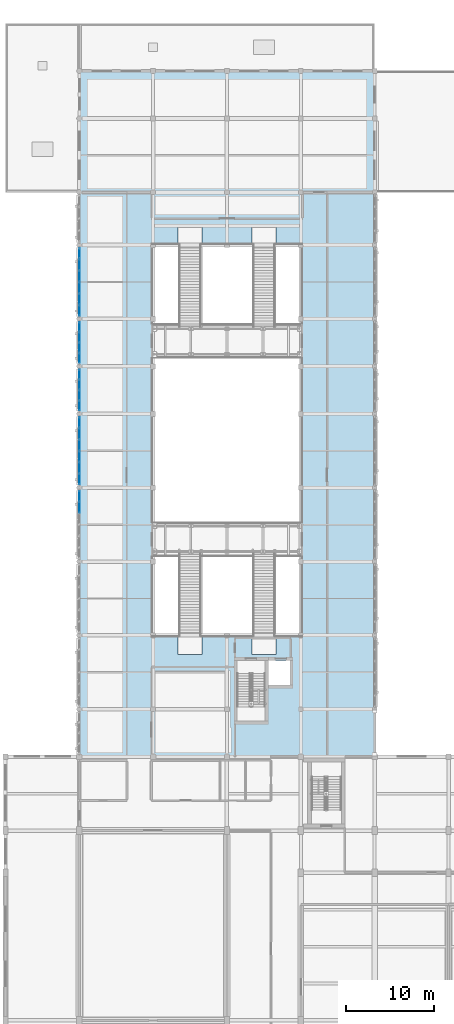
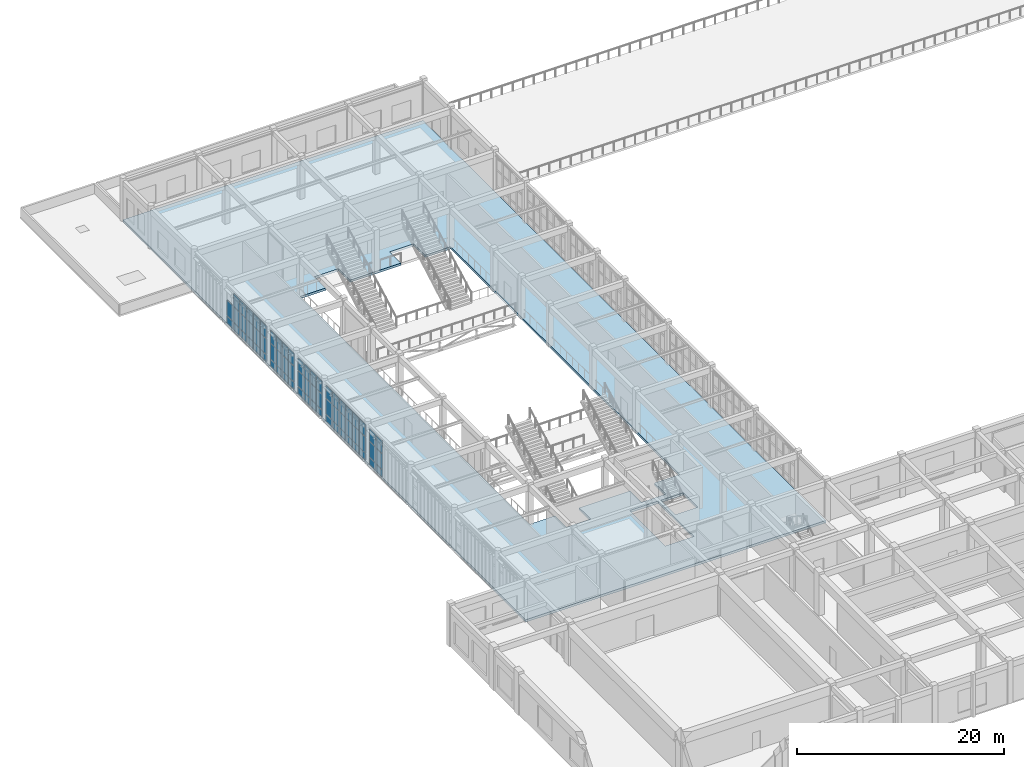
# One storey, part 59 of 93: 65 plates, 1 slab, 5 elements without a shape of their own.
"""IFC4 building model written with IfcOpenShell, lengths in metres."""

from ifc_helpers import new_model, si_unit, direction, frame, origin, origin_2d, place, context, subcontext, project, spatial, polyline, rectangle, outline, extrude, material, layer, layer_set, type_object, element, aggregate, save


model = new_model("IFC4")

# Units and contexts
model_context = context("Model", 3, precision=1e-05, world=origin(), true_north=direction((0.0, 1.0)))
body_context = subcontext(model_context, "Body", "Model", "MODEL_VIEW")
ifc_project = project(units=[si_unit("LENGTHUNIT", "METRE"), si_unit("AREAUNIT", "SQUARE_METRE"), si_unit("VOLUMEUNIT", "CUBIC_METRE"), si_unit("PLANEANGLEUNIT", "RADIAN"), si_unit("MASSUNIT", "GRAM", prefix="KILO")], contexts=[model_context])

# Site, building, storey
site_placement = place(None, origin())
site = spatial("IfcSite", under=ifc_project, at=site_placement, CompositionType="ELEMENT")
building_placement = place(site_placement, origin())
building = spatial("IfcBuilding", under=site, at=building_placement, Name="Krzemoval Escarpment Law Courts", CompositionType="ELEMENT")
storey_placement = place(building_placement, frame((0.0, 0.0, 10.199951171875)))
storey = spatial("IfcBuildingStorey", under=building, at=storey_placement, Name="L02", CompositionType="ELEMENT", Elevation=10.199951171875)

# Curtain wall, plates
ifc_material_1 = material(Name="Aluminium 6063-T6", Category="aluminium")
ifc_layer_1 = layer(ifc_material_1, 0.280029296875)
ifc_layer_set_1 = layer_set([ifc_layer_1], Name="Aluminium 6063-T6")
curtain_wall_type = type_object("IfcCurtainWallType", Name="CW-HALL-5100", PredefinedType="USERDEFINED", material=ifc_layer_set_1)
curtain_wall_1_placement = place(storey_placement, origin())
curtain_wall_1 = element("IfcCurtainWall", 1, at=curtain_wall_1_placement, inside=storey, type_object=curtain_wall_type, Name="Unitised Curtain Wall FCW-L02-067", ObjectType="UNITISED_CURTAIN_WALL", PredefinedType="USERDEFINED")
ifc_material_2 = material(Name="Triple Glazing IGU", Category="glass")
ifc_layer_2 = layer(ifc_material_2, 0.053955078125)
ifc_layer_set_2 = layer_set([ifc_layer_2], Name="Triple Glazing IGU")
plate_type = type_object("IfcPlateType", Name="CWP-GLZ-54", PredefinedType="CURTAIN_PANEL", material=ifc_layer_set_2)
plate_1_placement = place(storey_placement, frame((8.39990234375, 63.75, 0.0849609375), z_axis=(0.0, 0.0, 1.0), x_axis=(0.0, 1.0, 0.0)))
plate_1 = element("IfcPlate", 2, at=plate_1_placement, type_object=plate_type, Name="FCW-L02-067 panel 5.1", PredefinedType="CURTAIN_PANEL", context=body_context, shape_type="SweptSolid", body=[
    extrude(rectangle(XDim=1.215087890625, YDim=0.053955078125, at=origin_2d()), origin(), (0.0, 0.0, 1.0), 0.7724609375),
])
plate_2_placement = place(storey_placement, frame((8.39990234375, 63.75, 0.942626953125), z_axis=(0.0, 0.0, 1.0), x_axis=(0.0, 1.0, 0.0)))
plate_2 = element("IfcPlate", 3, at=plate_2_placement, type_object=plate_type, Name="FCW-L02-067 panel 5.2", PredefinedType="CURTAIN_PANEL", context=body_context, shape_type="SweptSolid", body=[
    extrude(rectangle(XDim=1.215087890625, YDim=0.053955078125, at=origin_2d()), origin(), (0.0, 0.0, 1.0), 1.81494140625),
])
plate_3_placement = place(storey_placement, frame((8.39990234375, 63.75, 2.842529296875), z_axis=(0.0, 0.0, 1.0), x_axis=(0.0, 1.0, 0.0)))
plate_3 = element("IfcPlate", 4, at=plate_3_placement, type_object=plate_type, Name="FCW-L02-067 panel 5.3", PredefinedType="CURTAIN_PANEL", context=body_context, shape_type="SweptSolid", body=[
    extrude(rectangle(XDim=1.215087890625, YDim=0.053955078125, at=origin_2d()), origin(), (0.0, 0.0, 1.0), 1.4423828125),
])
plate_4_placement = place(storey_placement, frame((8.39990234375, 65.02880859375, 0.0849609375), z_axis=(0.0, 0.0, 1.0), x_axis=(0.0, 1.0, 0.0)))
plate_4 = element("IfcPlate", 5, at=plate_4_placement, type_object=plate_type, Name="FCW-L02-067 panel 6.1", PredefinedType="CURTAIN_PANEL", context=body_context, shape_type="SweptSolid", body=[
    extrude(rectangle(XDim=1.172607421875, YDim=0.053955078125, at=origin_2d()), origin(), (0.0, 0.0, 1.0), 0.7724609375),
])
plate_5_placement = place(storey_placement, frame((8.39990234375, 65.02880859375, 0.942626953125), z_axis=(0.0, 0.0, 1.0), x_axis=(0.0, 1.0, 0.0)))
plate_5 = element("IfcPlate", 6, at=plate_5_placement, type_object=plate_type, Name="FCW-L02-067 panel 6.2", PredefinedType="CURTAIN_PANEL", context=body_context, shape_type="SweptSolid", body=[
    extrude(rectangle(XDim=1.172607421875, YDim=0.053955078125, at=origin_2d()), origin(), (0.0, 0.0, 1.0), 1.81494140625),
])
plate_6_placement = place(storey_placement, frame((8.39990234375, 65.02880859375, 2.842529296875), z_axis=(0.0, 0.0, 1.0), x_axis=(0.0, 1.0, 0.0)))
plate_6 = element("IfcPlate", 7, at=plate_6_placement, type_object=plate_type, Name="FCW-L02-067 panel 6.3", PredefinedType="CURTAIN_PANEL", context=body_context, shape_type="SweptSolid", body=[
    extrude(rectangle(XDim=1.172607421875, YDim=0.053955078125, at=origin_2d()), origin(), (0.0, 0.0, 1.0), 1.4423828125),
])
aggregate(curtain_wall_1, [plate_1, plate_2, plate_3, plate_4, plate_5, plate_6])

curtain_wall_2_placement = place(storey_placement, origin())
curtain_wall_2 = element("IfcCurtainWall", 8, at=curtain_wall_2_placement, inside=storey, type_object=curtain_wall_type, Name="Unitised Curtain Wall FCW-L02-068", ObjectType="UNITISED_CURTAIN_WALL", PredefinedType="USERDEFINED")
plate_7_placement = place(storey_placement, frame((8.39990234375, 66.97119140625, 0.0849609375), z_axis=(0.0, 0.0, 1.0), x_axis=(0.0, 1.0, 0.0)))
plate_7 = element("IfcPlate", 9, at=plate_7_placement, type_object=plate_type, Name="FCW-L02-068 panel 1.1", PredefinedType="CURTAIN_PANEL", context=body_context, shape_type="SweptSolid", body=[
    extrude(rectangle(XDim=1.172607421875, YDim=0.053955078125, at=origin_2d()), origin(), (0.0, 0.0, 1.0), 0.7724609375),
])
plate_8_placement = place(storey_placement, frame((8.39990234375, 66.97119140625, 0.942626953125), z_axis=(0.0, 0.0, 1.0), x_axis=(0.0, 1.0, 0.0)))
plate_8 = element("IfcPlate", 10, at=plate_8_placement, type_object=plate_type, Name="FCW-L02-068 panel 1.2", PredefinedType="CURTAIN_PANEL", context=body_context, shape_type="SweptSolid", body=[
    extrude(rectangle(XDim=1.172607421875, YDim=0.053955078125, at=origin_2d()), origin(), (0.0, 0.0, 1.0), 1.81494140625),
])
plate_9_placement = place(storey_placement, frame((8.39990234375, 66.97119140625, 2.842529296875), z_axis=(0.0, 0.0, 1.0), x_axis=(0.0, 1.0, 0.0)))
plate_9 = element("IfcPlate", 11, at=plate_9_placement, type_object=plate_type, Name="FCW-L02-068 panel 1.3", PredefinedType="CURTAIN_PANEL", context=body_context, shape_type="SweptSolid", body=[
    extrude(rectangle(XDim=1.172607421875, YDim=0.053955078125, at=origin_2d()), origin(), (0.0, 0.0, 1.0), 1.4423828125),
])
plate_10_placement = place(storey_placement, frame((8.39990234375, 68.25, 0.0849609375), z_axis=(0.0, 0.0, 1.0), x_axis=(0.0, 1.0, 0.0)))
plate_10 = element("IfcPlate", 12, at=plate_10_placement, type_object=plate_type, Name="FCW-L02-068 panel 2.1", PredefinedType="CURTAIN_PANEL", context=body_context, shape_type="SweptSolid", body=[
    extrude(rectangle(XDim=1.215087890625, YDim=0.053955078125, at=origin_2d()), origin(), (0.0, 0.0, 1.0), 0.7724609375),
])
plate_11_placement = place(storey_placement, frame((8.39990234375, 68.25, 0.942626953125), z_axis=(0.0, 0.0, 1.0), x_axis=(0.0, 1.0, 0.0)))
plate_11 = element("IfcPlate", 13, at=plate_11_placement, type_object=plate_type, Name="FCW-L02-068 panel 2.2", PredefinedType="CURTAIN_PANEL", context=body_context, shape_type="SweptSolid", body=[
    extrude(rectangle(XDim=1.215087890625, YDim=0.053955078125, at=origin_2d()), origin(), (0.0, 0.0, 1.0), 1.81494140625),
])
plate_12_placement = place(storey_placement, frame((8.39990234375, 68.25, 2.842529296875), z_axis=(0.0, 0.0, 1.0), x_axis=(0.0, 1.0, 0.0)))
plate_12 = element("IfcPlate", 14, at=plate_12_placement, type_object=plate_type, Name="FCW-L02-068 panel 2.3", PredefinedType="CURTAIN_PANEL", context=body_context, shape_type="SweptSolid", body=[
    extrude(rectangle(XDim=1.215087890625, YDim=0.053955078125, at=origin_2d()), origin(), (0.0, 0.0, 1.0), 1.4423828125),
])
plate_13_placement = place(storey_placement, frame((8.39990234375, 69.550048828125, 0.0849609375), z_axis=(0.0, 0.0, 1.0), x_axis=(0.0, 1.0, 0.0)))
plate_13 = element("IfcPlate", 15, at=plate_13_placement, type_object=plate_type, Name="FCW-L02-068 panel 3.1", PredefinedType="CURTAIN_PANEL", context=body_context, shape_type="SweptSolid", body=[
    extrude(rectangle(XDim=1.215087890625, YDim=0.053955078125, at=origin_2d()), origin(), (0.0, 0.0, 1.0), 0.7724609375),
])
plate_14_placement = place(storey_placement, frame((8.39990234375, 69.550048828125, 0.942626953125), z_axis=(0.0, 0.0, 1.0), x_axis=(0.0, 1.0, 0.0)))
plate_14 = element("IfcPlate", 16, at=plate_14_placement, type_object=plate_type, Name="FCW-L02-068 panel 3.2", PredefinedType="CURTAIN_PANEL", context=body_context, shape_type="SweptSolid", body=[
    extrude(rectangle(XDim=1.215087890625, YDim=0.053955078125, at=origin_2d()), origin(), (0.0, 0.0, 1.0), 1.81494140625),
])
plate_15_placement = place(storey_placement, frame((8.39990234375, 69.550048828125, 2.842529296875), z_axis=(0.0, 0.0, 1.0), x_axis=(0.0, 1.0, 0.0)))
plate_15 = element("IfcPlate", 17, at=plate_15_placement, type_object=plate_type, Name="FCW-L02-068 panel 3.3", PredefinedType="CURTAIN_PANEL", context=body_context, shape_type="SweptSolid", body=[
    extrude(rectangle(XDim=1.215087890625, YDim=0.053955078125, at=origin_2d()), origin(), (0.0, 0.0, 1.0), 1.4423828125),
])
plate_16_placement = place(storey_placement, frame((8.39990234375, 70.85009765625, 0.0849609375), z_axis=(0.0, 0.0, 1.0), x_axis=(0.0, 1.0, 0.0)))
plate_16 = element("IfcPlate", 18, at=plate_16_placement, type_object=plate_type, Name="FCW-L02-068 panel 4.1", PredefinedType="CURTAIN_PANEL", context=body_context, shape_type="SweptSolid", body=[
    extrude(rectangle(XDim=1.215087890625, YDim=0.053955078125, at=origin_2d()), origin(), (0.0, 0.0, 1.0), 0.7724609375),
])
plate_17_placement = place(storey_placement, frame((8.39990234375, 70.85009765625, 0.942626953125), z_axis=(0.0, 0.0, 1.0), x_axis=(0.0, 1.0, 0.0)))
plate_17 = element("IfcPlate", 19, at=plate_17_placement, type_object=plate_type, Name="FCW-L02-068 panel 4.2", PredefinedType="CURTAIN_PANEL", context=body_context, shape_type="SweptSolid", body=[
    extrude(rectangle(XDim=1.215087890625, YDim=0.053955078125, at=origin_2d()), origin(), (0.0, 0.0, 1.0), 1.81494140625),
])
plate_18_placement = place(storey_placement, frame((8.39990234375, 70.85009765625, 2.842529296875), z_axis=(0.0, 0.0, 1.0), x_axis=(0.0, 1.0, 0.0)))
plate_18 = element("IfcPlate", 20, at=plate_18_placement, type_object=plate_type, Name="FCW-L02-068 panel 4.3", PredefinedType="CURTAIN_PANEL", context=body_context, shape_type="SweptSolid", body=[
    extrude(rectangle(XDim=1.215087890625, YDim=0.053955078125, at=origin_2d()), origin(), (0.0, 0.0, 1.0), 1.4423828125),
])
plate_19_placement = place(storey_placement, frame((8.39990234375, 72.14990234375, 0.0849609375), z_axis=(0.0, 0.0, 1.0), x_axis=(0.0, 1.0, 0.0)))
plate_19 = element("IfcPlate", 21, at=plate_19_placement, type_object=plate_type, Name="FCW-L02-068 panel 5.1", PredefinedType="CURTAIN_PANEL", context=body_context, shape_type="SweptSolid", body=[
    extrude(rectangle(XDim=1.215087890625, YDim=0.053955078125, at=origin_2d()), origin(), (0.0, 0.0, 1.0), 0.7724609375),
])
plate_20_placement = place(storey_placement, frame((8.39990234375, 72.14990234375, 0.942626953125), z_axis=(0.0, 0.0, 1.0), x_axis=(0.0, 1.0, 0.0)))
plate_20 = element("IfcPlate", 22, at=plate_20_placement, type_object=plate_type, Name="FCW-L02-068 panel 5.2", PredefinedType="CURTAIN_PANEL", context=body_context, shape_type="SweptSolid", body=[
    extrude(rectangle(XDim=1.215087890625, YDim=0.053955078125, at=origin_2d()), origin(), (0.0, 0.0, 1.0), 1.81494140625),
])
plate_21_placement = place(storey_placement, frame((8.39990234375, 72.14990234375, 2.842529296875), z_axis=(0.0, 0.0, 1.0), x_axis=(0.0, 1.0, 0.0)))
plate_21 = element("IfcPlate", 23, at=plate_21_placement, type_object=plate_type, Name="FCW-L02-068 panel 5.3", PredefinedType="CURTAIN_PANEL", context=body_context, shape_type="SweptSolid", body=[
    extrude(rectangle(XDim=1.215087890625, YDim=0.053955078125, at=origin_2d()), origin(), (0.0, 0.0, 1.0), 1.4423828125),
])
plate_22_placement = place(storey_placement, frame((8.39990234375, 73.4287109375, 0.0849609375), z_axis=(0.0, 0.0, 1.0), x_axis=(0.0, 1.0, 0.0)))
plate_22 = element("IfcPlate", 24, at=plate_22_placement, type_object=plate_type, Name="FCW-L02-068 panel 6.1", PredefinedType="CURTAIN_PANEL", context=body_context, shape_type="SweptSolid", body=[
    extrude(rectangle(XDim=1.172607421875, YDim=0.053955078125, at=origin_2d()), origin(), (0.0, 0.0, 1.0), 0.7724609375),
])
plate_23_placement = place(storey_placement, frame((8.39990234375, 73.4287109375, 0.942626953125), z_axis=(0.0, 0.0, 1.0), x_axis=(0.0, 1.0, 0.0)))
plate_23 = element("IfcPlate", 25, at=plate_23_placement, type_object=plate_type, Name="FCW-L02-068 panel 6.2", PredefinedType="CURTAIN_PANEL", context=body_context, shape_type="SweptSolid", body=[
    extrude(rectangle(XDim=1.172607421875, YDim=0.053955078125, at=origin_2d()), origin(), (0.0, 0.0, 1.0), 1.81494140625),
])
plate_24_placement = place(storey_placement, frame((8.39990234375, 73.4287109375, 2.842529296875), z_axis=(0.0, 0.0, 1.0), x_axis=(0.0, 1.0, 0.0)))
plate_24 = element("IfcPlate", 26, at=plate_24_placement, type_object=plate_type, Name="FCW-L02-068 panel 6.3", PredefinedType="CURTAIN_PANEL", context=body_context, shape_type="SweptSolid", body=[
    extrude(rectangle(XDim=1.172607421875, YDim=0.053955078125, at=origin_2d()), origin(), (0.0, 0.0, 1.0), 1.4423828125),
])
aggregate(curtain_wall_2, [plate_7, plate_8, plate_9, plate_10, plate_11, plate_12, plate_13, plate_14, plate_15, plate_16, plate_17, plate_18, plate_19, plate_20, plate_21, plate_22, plate_23, plate_24])

curtain_wall_3_placement = place(storey_placement, origin())
curtain_wall_3 = element("IfcCurtainWall", 27, at=curtain_wall_3_placement, inside=storey, type_object=curtain_wall_type, Name="Unitised Curtain Wall FCW-L02-069", ObjectType="UNITISED_CURTAIN_WALL", PredefinedType="USERDEFINED")
plate_25_placement = place(storey_placement, frame((8.39990234375, 75.3212890625, 0.0849609375), z_axis=(0.0, 0.0, 1.0), x_axis=(0.0, 1.0, 0.0)))
plate_25 = element("IfcPlate", 28, at=plate_25_placement, type_object=plate_type, Name="FCW-L02-069 panel 1.1", PredefinedType="CURTAIN_PANEL", context=body_context, shape_type="SweptSolid", body=[
    extrude(rectangle(XDim=1.072509765625, YDim=0.053955078125, at=origin_2d()), origin(), (0.0, 0.0, 1.0), 0.7724609375),
])
plate_26_placement = place(storey_placement, frame((8.39990234375, 75.3212890625, 0.942626953125), z_axis=(0.0, 0.0, 1.0), x_axis=(0.0, 1.0, 0.0)))
plate_26 = element("IfcPlate", 29, at=plate_26_placement, type_object=plate_type, Name="FCW-L02-069 panel 1.2", PredefinedType="CURTAIN_PANEL", context=body_context, shape_type="SweptSolid", body=[
    extrude(rectangle(XDim=1.072509765625, YDim=0.053955078125, at=origin_2d()), origin(), (0.0, 0.0, 1.0), 1.81494140625),
])
plate_27_placement = place(storey_placement, frame((8.39990234375, 75.3212890625, 2.842529296875), z_axis=(0.0, 0.0, 1.0), x_axis=(0.0, 1.0, 0.0)))
plate_27 = element("IfcPlate", 30, at=plate_27_placement, type_object=plate_type, Name="FCW-L02-069 panel 1.3", PredefinedType="CURTAIN_PANEL", context=body_context, shape_type="SweptSolid", body=[
    extrude(rectangle(XDim=1.072509765625, YDim=0.053955078125, at=origin_2d()), origin(), (0.0, 0.0, 1.0), 1.4423828125),
])
plate_28_placement = place(storey_placement, frame((8.39990234375, 76.5, 0.0849609375), z_axis=(0.0, 0.0, 1.0), x_axis=(0.0, 1.0, 0.0)))
plate_28 = element("IfcPlate", 31, at=plate_28_placement, type_object=plate_type, Name="FCW-L02-069 panel 2.1", PredefinedType="CURTAIN_PANEL", context=body_context, shape_type="SweptSolid", body=[
    extrude(rectangle(XDim=1.114990234375, YDim=0.053955078125, at=origin_2d()), origin(), (0.0, 0.0, 1.0), 0.7724609375),
])
plate_29_placement = place(storey_placement, frame((8.39990234375, 76.5, 0.942626953125), z_axis=(0.0, 0.0, 1.0), x_axis=(0.0, 1.0, 0.0)))
plate_29 = element("IfcPlate", 32, at=plate_29_placement, type_object=plate_type, Name="FCW-L02-069 panel 2.2", PredefinedType="CURTAIN_PANEL", context=body_context, shape_type="SweptSolid", body=[
    extrude(rectangle(XDim=1.114990234375, YDim=0.053955078125, at=origin_2d()), origin(), (0.0, 0.0, 1.0), 1.81494140625),
])
plate_30_placement = place(storey_placement, frame((8.39990234375, 76.5, 2.842529296875), z_axis=(0.0, 0.0, 1.0), x_axis=(0.0, 1.0, 0.0)))
plate_30 = element("IfcPlate", 33, at=plate_30_placement, type_object=plate_type, Name="FCW-L02-069 panel 2.3", PredefinedType="CURTAIN_PANEL", context=body_context, shape_type="SweptSolid", body=[
    extrude(rectangle(XDim=1.114990234375, YDim=0.053955078125, at=origin_2d()), origin(), (0.0, 0.0, 1.0), 1.4423828125),
])
plate_31_placement = place(storey_placement, frame((8.39990234375, 77.699951171875, 0.0849609375), z_axis=(0.0, 0.0, 1.0), x_axis=(0.0, 1.0, 0.0)))
plate_31 = element("IfcPlate", 34, at=plate_31_placement, type_object=plate_type, Name="FCW-L02-069 panel 3.1", PredefinedType="CURTAIN_PANEL", context=body_context, shape_type="SweptSolid", body=[
    extrude(rectangle(XDim=1.114990234375, YDim=0.053955078125, at=origin_2d()), origin(), (0.0, 0.0, 1.0), 0.7724609375),
])
plate_32_placement = place(storey_placement, frame((8.39990234375, 77.699951171875, 0.942626953125), z_axis=(0.0, 0.0, 1.0), x_axis=(0.0, 1.0, 0.0)))
plate_32 = element("IfcPlate", 35, at=plate_32_placement, type_object=plate_type, Name="FCW-L02-069 panel 3.2", PredefinedType="CURTAIN_PANEL", context=body_context, shape_type="SweptSolid", body=[
    extrude(rectangle(XDim=1.114990234375, YDim=0.053955078125, at=origin_2d()), origin(), (0.0, 0.0, 1.0), 1.81494140625),
])
plate_33_placement = place(storey_placement, frame((8.39990234375, 77.699951171875, 2.842529296875), z_axis=(0.0, 0.0, 1.0), x_axis=(0.0, 1.0, 0.0)))
plate_33 = element("IfcPlate", 36, at=plate_33_placement, type_object=plate_type, Name="FCW-L02-069 panel 3.3", PredefinedType="CURTAIN_PANEL", context=body_context, shape_type="SweptSolid", body=[
    extrude(rectangle(XDim=1.114990234375, YDim=0.053955078125, at=origin_2d()), origin(), (0.0, 0.0, 1.0), 1.4423828125),
])
plate_34_placement = place(storey_placement, frame((8.39990234375, 78.878662109375, 0.0849609375), z_axis=(0.0, 0.0, 1.0), x_axis=(0.0, 1.0, 0.0)))
plate_34 = element("IfcPlate", 37, at=plate_34_placement, type_object=plate_type, Name="FCW-L02-069 panel 4.1", PredefinedType="CURTAIN_PANEL", context=body_context, shape_type="SweptSolid", body=[
    extrude(rectangle(XDim=1.072509765625, YDim=0.053955078125, at=origin_2d()), origin(), (0.0, 0.0, 1.0), 0.7724609375),
])
plate_35_placement = place(storey_placement, frame((8.39990234375, 78.878662109375, 0.942626953125), z_axis=(0.0, 0.0, 1.0), x_axis=(0.0, 1.0, 0.0)))
plate_35 = element("IfcPlate", 38, at=plate_35_placement, type_object=plate_type, Name="FCW-L02-069 panel 4.2", PredefinedType="CURTAIN_PANEL", context=body_context, shape_type="SweptSolid", body=[
    extrude(rectangle(XDim=1.072509765625, YDim=0.053955078125, at=origin_2d()), origin(), (0.0, 0.0, 1.0), 1.81494140625),
])
plate_36_placement = place(storey_placement, frame((8.39990234375, 78.878662109375, 2.842529296875), z_axis=(0.0, 0.0, 1.0), x_axis=(0.0, 1.0, 0.0)))
plate_36 = element("IfcPlate", 39, at=plate_36_placement, type_object=plate_type, Name="FCW-L02-069 panel 4.3", PredefinedType="CURTAIN_PANEL", context=body_context, shape_type="SweptSolid", body=[
    extrude(rectangle(XDim=1.072509765625, YDim=0.053955078125, at=origin_2d()), origin(), (0.0, 0.0, 1.0), 1.4423828125),
])
aggregate(curtain_wall_3, [plate_25, plate_26, plate_27, plate_28, plate_29, plate_30, plate_31, plate_32, plate_33, plate_34, plate_35, plate_36])

curtain_wall_4_placement = place(storey_placement, origin())
curtain_wall_4 = element("IfcCurtainWall", 40, at=curtain_wall_4_placement, inside=storey, type_object=curtain_wall_type, Name="Unitised Curtain Wall FCW-L02-070", ObjectType="UNITISED_CURTAIN_WALL", PredefinedType="USERDEFINED")
plate_37_placement = place(storey_placement, frame((8.39990234375, 80.72119140625, 0.0849609375), z_axis=(0.0, 0.0, 1.0), x_axis=(0.0, 1.0, 0.0)))
plate_37 = element("IfcPlate", 41, at=plate_37_placement, type_object=plate_type, Name="FCW-L02-070 panel 1.1", PredefinedType="CURTAIN_PANEL", context=body_context, shape_type="SweptSolid", body=[
    extrude(rectangle(XDim=1.072509765625, YDim=0.053955078125, at=origin_2d()), origin(), (0.0, 0.0, 1.0), 0.7724609375),
])
plate_38_placement = place(storey_placement, frame((8.39990234375, 80.72119140625, 0.942626953125), z_axis=(0.0, 0.0, 1.0), x_axis=(0.0, 1.0, 0.0)))
plate_38 = element("IfcPlate", 42, at=plate_38_placement, type_object=plate_type, Name="FCW-L02-070 panel 1.2", PredefinedType="CURTAIN_PANEL", context=body_context, shape_type="SweptSolid", body=[
    extrude(rectangle(XDim=1.072509765625, YDim=0.053955078125, at=origin_2d()), origin(), (0.0, 0.0, 1.0), 1.81494140625),
])
plate_39_placement = place(storey_placement, frame((8.39990234375, 80.72119140625, 2.842529296875), z_axis=(0.0, 0.0, 1.0), x_axis=(0.0, 1.0, 0.0)))
plate_39 = element("IfcPlate", 43, at=plate_39_placement, type_object=plate_type, Name="FCW-L02-070 panel 1.3", PredefinedType="CURTAIN_PANEL", context=body_context, shape_type="SweptSolid", body=[
    extrude(rectangle(XDim=1.072509765625, YDim=0.053955078125, at=origin_2d()), origin(), (0.0, 0.0, 1.0), 1.4423828125),
])
plate_40_placement = place(storey_placement, frame((8.39990234375, 81.89990234375, 0.0849609375), z_axis=(0.0, 0.0, 1.0), x_axis=(0.0, 1.0, 0.0)))
plate_40 = element("IfcPlate", 44, at=plate_40_placement, type_object=plate_type, Name="FCW-L02-070 panel 2.1", PredefinedType="CURTAIN_PANEL", context=body_context, shape_type="SweptSolid", body=[
    extrude(rectangle(XDim=1.114990234375, YDim=0.053955078125, at=origin_2d()), origin(), (0.0, 0.0, 1.0), 0.7724609375),
])
plate_41_placement = place(storey_placement, frame((8.39990234375, 81.89990234375, 0.942626953125), z_axis=(0.0, 0.0, 1.0), x_axis=(0.0, 1.0, 0.0)))
plate_41 = element("IfcPlate", 45, at=plate_41_placement, type_object=plate_type, Name="FCW-L02-070 panel 2.2", PredefinedType="CURTAIN_PANEL", context=body_context, shape_type="SweptSolid", body=[
    extrude(rectangle(XDim=1.114990234375, YDim=0.053955078125, at=origin_2d()), origin(), (0.0, 0.0, 1.0), 1.81494140625),
])
plate_42_placement = place(storey_placement, frame((8.39990234375, 81.89990234375, 2.842529296875), z_axis=(0.0, 0.0, 1.0), x_axis=(0.0, 1.0, 0.0)))
plate_42 = element("IfcPlate", 46, at=plate_42_placement, type_object=plate_type, Name="FCW-L02-070 panel 2.3", PredefinedType="CURTAIN_PANEL", context=body_context, shape_type="SweptSolid", body=[
    extrude(rectangle(XDim=1.114990234375, YDim=0.053955078125, at=origin_2d()), origin(), (0.0, 0.0, 1.0), 1.4423828125),
])
plate_43_placement = place(storey_placement, frame((8.39990234375, 83.10009765625, 0.0849609375), z_axis=(0.0, 0.0, 1.0), x_axis=(0.0, 1.0, 0.0)))
plate_43 = element("IfcPlate", 47, at=plate_43_placement, type_object=plate_type, Name="FCW-L02-070 panel 3.1", PredefinedType="CURTAIN_PANEL", context=body_context, shape_type="SweptSolid", body=[
    extrude(rectangle(XDim=1.114990234375, YDim=0.053955078125, at=origin_2d()), origin(), (0.0, 0.0, 1.0), 0.7724609375),
])
plate_44_placement = place(storey_placement, frame((8.39990234375, 83.10009765625, 0.942626953125), z_axis=(0.0, 0.0, 1.0), x_axis=(0.0, 1.0, 0.0)))
plate_44 = element("IfcPlate", 48, at=plate_44_placement, type_object=plate_type, Name="FCW-L02-070 panel 3.2", PredefinedType="CURTAIN_PANEL", context=body_context, shape_type="SweptSolid", body=[
    extrude(rectangle(XDim=1.114990234375, YDim=0.053955078125, at=origin_2d()), origin(), (0.0, 0.0, 1.0), 1.81494140625),
])
plate_45_placement = place(storey_placement, frame((8.39990234375, 83.10009765625, 2.842529296875), z_axis=(0.0, 0.0, 1.0), x_axis=(0.0, 1.0, 0.0)))
plate_45 = element("IfcPlate", 49, at=plate_45_placement, type_object=plate_type, Name="FCW-L02-070 panel 3.3", PredefinedType="CURTAIN_PANEL", context=body_context, shape_type="SweptSolid", body=[
    extrude(rectangle(XDim=1.114990234375, YDim=0.053955078125, at=origin_2d()), origin(), (0.0, 0.0, 1.0), 1.4423828125),
])
plate_46_placement = place(storey_placement, frame((8.39990234375, 84.27880859375, 0.0849609375), z_axis=(0.0, 0.0, 1.0), x_axis=(0.0, 1.0, 0.0)))
plate_46 = element("IfcPlate", 50, at=plate_46_placement, type_object=plate_type, Name="FCW-L02-070 panel 4.1", PredefinedType="CURTAIN_PANEL", context=body_context, shape_type="SweptSolid", body=[
    extrude(rectangle(XDim=1.072509765625, YDim=0.053955078125, at=origin_2d()), origin(), (0.0, 0.0, 1.0), 0.7724609375),
])
plate_47_placement = place(storey_placement, frame((8.39990234375, 84.27880859375, 0.942626953125), z_axis=(0.0, 0.0, 1.0), x_axis=(0.0, 1.0, 0.0)))
plate_47 = element("IfcPlate", 51, at=plate_47_placement, type_object=plate_type, Name="FCW-L02-070 panel 4.2", PredefinedType="CURTAIN_PANEL", context=body_context, shape_type="SweptSolid", body=[
    extrude(rectangle(XDim=1.072509765625, YDim=0.053955078125, at=origin_2d()), origin(), (0.0, 0.0, 1.0), 1.81494140625),
])
plate_48_placement = place(storey_placement, frame((8.39990234375, 84.27880859375, 2.842529296875), z_axis=(0.0, 0.0, 1.0), x_axis=(0.0, 1.0, 0.0)))
plate_48 = element("IfcPlate", 52, at=plate_48_placement, type_object=plate_type, Name="FCW-L02-070 panel 4.3", PredefinedType="CURTAIN_PANEL", context=body_context, shape_type="SweptSolid", body=[
    extrude(rectangle(XDim=1.072509765625, YDim=0.053955078125, at=origin_2d()), origin(), (0.0, 0.0, 1.0), 1.4423828125),
])
aggregate(curtain_wall_4, [plate_37, plate_38, plate_39, plate_40, plate_41, plate_42, plate_43, plate_44, plate_45, plate_46, plate_47, plate_48])

curtain_wall_5_placement = place(storey_placement, origin())
curtain_wall_5 = element("IfcCurtainWall", 53, at=curtain_wall_5_placement, inside=storey, type_object=curtain_wall_type, Name="Unitised Curtain Wall FCW-L02-071", ObjectType="UNITISED_CURTAIN_WALL", PredefinedType="USERDEFINED")
plate_49_placement = place(storey_placement, frame((8.39990234375, 86.171142578125, 0.0849609375), z_axis=(0.0, 0.0, 1.0), x_axis=(0.0, 1.0, 0.0)))
plate_49 = element("IfcPlate", 54, at=plate_49_placement, type_object=plate_type, Name="FCW-L02-071 panel 1.1", PredefinedType="CURTAIN_PANEL", context=body_context, shape_type="SweptSolid", body=[
    extrude(rectangle(XDim=1.172607421875, YDim=0.053955078125, at=origin_2d()), origin(), (0.0, 0.0, 1.0), 0.7724609375),
])
plate_50_placement = place(storey_placement, frame((8.39990234375, 86.171142578125, 0.942626953125), z_axis=(0.0, 0.0, 1.0), x_axis=(0.0, 1.0, 0.0)))
plate_50 = element("IfcPlate", 55, at=plate_50_placement, type_object=plate_type, Name="FCW-L02-071 panel 1.2", PredefinedType="CURTAIN_PANEL", context=body_context, shape_type="SweptSolid", body=[
    extrude(rectangle(XDim=1.172607421875, YDim=0.053955078125, at=origin_2d()), origin(), (0.0, 0.0, 1.0), 1.81494140625),
])
plate_51_placement = place(storey_placement, frame((8.39990234375, 86.171142578125, 2.842529296875), z_axis=(0.0, 0.0, 1.0), x_axis=(0.0, 1.0, 0.0)))
plate_51 = element("IfcPlate", 56, at=plate_51_placement, type_object=plate_type, Name="FCW-L02-071 panel 1.3", PredefinedType="CURTAIN_PANEL", context=body_context, shape_type="SweptSolid", body=[
    extrude(rectangle(XDim=1.172607421875, YDim=0.053955078125, at=origin_2d()), origin(), (0.0, 0.0, 1.0), 1.4423828125),
])
plate_52_placement = place(storey_placement, frame((8.39990234375, 87.449951171875, 0.0849609375), z_axis=(0.0, 0.0, 1.0), x_axis=(0.0, 1.0, 0.0)))
plate_52 = element("IfcPlate", 57, at=plate_52_placement, type_object=plate_type, Name="FCW-L02-071 panel 2.1", PredefinedType="CURTAIN_PANEL", context=body_context, shape_type="SweptSolid", body=[
    extrude(rectangle(XDim=1.215087890625, YDim=0.053955078125, at=origin_2d()), origin(), (0.0, 0.0, 1.0), 0.7724609375),
])
plate_53_placement = place(storey_placement, frame((8.39990234375, 87.449951171875, 0.942626953125), z_axis=(0.0, 0.0, 1.0), x_axis=(0.0, 1.0, 0.0)))
plate_53 = element("IfcPlate", 58, at=plate_53_placement, type_object=plate_type, Name="FCW-L02-071 panel 2.2", PredefinedType="CURTAIN_PANEL", context=body_context, shape_type="SweptSolid", body=[
    extrude(rectangle(XDim=1.215087890625, YDim=0.053955078125, at=origin_2d()), origin(), (0.0, 0.0, 1.0), 1.81494140625),
])
plate_54_placement = place(storey_placement, frame((8.39990234375, 87.449951171875, 2.842529296875), z_axis=(0.0, 0.0, 1.0), x_axis=(0.0, 1.0, 0.0)))
plate_54 = element("IfcPlate", 59, at=plate_54_placement, type_object=plate_type, Name="FCW-L02-071 panel 2.3", PredefinedType="CURTAIN_PANEL", context=body_context, shape_type="SweptSolid", body=[
    extrude(rectangle(XDim=1.215087890625, YDim=0.053955078125, at=origin_2d()), origin(), (0.0, 0.0, 1.0), 1.4423828125),
])
plate_55_placement = place(storey_placement, frame((8.39990234375, 88.75, 0.0849609375), z_axis=(0.0, 0.0, 1.0), x_axis=(0.0, 1.0, 0.0)))
plate_55 = element("IfcPlate", 60, at=plate_55_placement, type_object=plate_type, Name="FCW-L02-071 panel 3.1", PredefinedType="CURTAIN_PANEL", context=body_context, shape_type="SweptSolid", body=[
    extrude(rectangle(XDim=1.215087890625, YDim=0.053955078125, at=origin_2d()), origin(), (0.0, 0.0, 1.0), 0.7724609375),
])
plate_56_placement = place(storey_placement, frame((8.39990234375, 88.75, 0.942626953125), z_axis=(0.0, 0.0, 1.0), x_axis=(0.0, 1.0, 0.0)))
plate_56 = element("IfcPlate", 61, at=plate_56_placement, type_object=plate_type, Name="FCW-L02-071 panel 3.2", PredefinedType="CURTAIN_PANEL", context=body_context, shape_type="SweptSolid", body=[
    extrude(rectangle(XDim=1.215087890625, YDim=0.053955078125, at=origin_2d()), origin(), (0.0, 0.0, 1.0), 1.81494140625),
])
plate_57_placement = place(storey_placement, frame((8.39990234375, 88.75, 2.842529296875), z_axis=(0.0, 0.0, 1.0), x_axis=(0.0, 1.0, 0.0)))
plate_57 = element("IfcPlate", 62, at=plate_57_placement, type_object=plate_type, Name="FCW-L02-071 panel 3.3", PredefinedType="CURTAIN_PANEL", context=body_context, shape_type="SweptSolid", body=[
    extrude(rectangle(XDim=1.215087890625, YDim=0.053955078125, at=origin_2d()), origin(), (0.0, 0.0, 1.0), 1.4423828125),
])
plate_58_placement = place(storey_placement, frame((8.39990234375, 90.050048828125, 0.0849609375), z_axis=(0.0, 0.0, 1.0), x_axis=(0.0, 1.0, 0.0)))
plate_58 = element("IfcPlate", 63, at=plate_58_placement, type_object=plate_type, Name="FCW-L02-071 panel 4.1", PredefinedType="CURTAIN_PANEL", context=body_context, shape_type="SweptSolid", body=[
    extrude(rectangle(XDim=1.215087890625, YDim=0.053955078125, at=origin_2d()), origin(), (0.0, 0.0, 1.0), 0.7724609375),
])
plate_59_placement = place(storey_placement, frame((8.39990234375, 90.050048828125, 0.942626953125), z_axis=(0.0, 0.0, 1.0), x_axis=(0.0, 1.0, 0.0)))
plate_59 = element("IfcPlate", 64, at=plate_59_placement, type_object=plate_type, Name="FCW-L02-071 panel 4.2", PredefinedType="CURTAIN_PANEL", context=body_context, shape_type="SweptSolid", body=[
    extrude(rectangle(XDim=1.215087890625, YDim=0.053955078125, at=origin_2d()), origin(), (0.0, 0.0, 1.0), 1.81494140625),
])
plate_60_placement = place(storey_placement, frame((8.39990234375, 90.050048828125, 2.842529296875), z_axis=(0.0, 0.0, 1.0), x_axis=(0.0, 1.0, 0.0)))
plate_60 = element("IfcPlate", 65, at=plate_60_placement, type_object=plate_type, Name="FCW-L02-071 panel 4.3", PredefinedType="CURTAIN_PANEL", context=body_context, shape_type="SweptSolid", body=[
    extrude(rectangle(XDim=1.215087890625, YDim=0.053955078125, at=origin_2d()), origin(), (0.0, 0.0, 1.0), 1.4423828125),
])
plate_61_placement = place(storey_placement, frame((8.39990234375, 91.35009765625, 0.0849609375), z_axis=(0.0, 0.0, 1.0), x_axis=(0.0, 1.0, 0.0)))
plate_61 = element("IfcPlate", 66, at=plate_61_placement, type_object=plate_type, Name="FCW-L02-071 panel 5.1", PredefinedType="CURTAIN_PANEL", context=body_context, shape_type="SweptSolid", body=[
    extrude(rectangle(XDim=1.215087890625, YDim=0.053955078125, at=origin_2d()), origin(), (0.0, 0.0, 1.0), 0.7724609375),
])
plate_62_placement = place(storey_placement, frame((8.39990234375, 91.35009765625, 0.942626953125), z_axis=(0.0, 0.0, 1.0), x_axis=(0.0, 1.0, 0.0)))
plate_62 = element("IfcPlate", 67, at=plate_62_placement, type_object=plate_type, Name="FCW-L02-071 panel 5.2", PredefinedType="CURTAIN_PANEL", context=body_context, shape_type="SweptSolid", body=[
    extrude(rectangle(XDim=1.215087890625, YDim=0.053955078125, at=origin_2d()), origin(), (0.0, 0.0, 1.0), 1.81494140625),
])
plate_63_placement = place(storey_placement, frame((8.39990234375, 91.35009765625, 2.842529296875), z_axis=(0.0, 0.0, 1.0), x_axis=(0.0, 1.0, 0.0)))
plate_63 = element("IfcPlate", 68, at=plate_63_placement, type_object=plate_type, Name="FCW-L02-071 panel 5.3", PredefinedType="CURTAIN_PANEL", context=body_context, shape_type="SweptSolid", body=[
    extrude(rectangle(XDim=1.215087890625, YDim=0.053955078125, at=origin_2d()), origin(), (0.0, 0.0, 1.0), 1.4423828125),
])
plate_64_placement = place(storey_placement, frame((8.39990234375, 92.628662109375, 0.0849609375), z_axis=(0.0, 0.0, 1.0), x_axis=(0.0, 1.0, 0.0)))
plate_64 = element("IfcPlate", 69, at=plate_64_placement, type_object=plate_type, Name="FCW-L02-071 panel 6.1", PredefinedType="CURTAIN_PANEL", context=body_context, shape_type="SweptSolid", body=[
    extrude(rectangle(XDim=1.172607421875, YDim=0.053955078125, at=origin_2d()), origin(), (0.0, 0.0, 1.0), 0.7724609375),
])
plate_65_placement = place(storey_placement, frame((8.39990234375, 92.628662109375, 0.942626953125), z_axis=(0.0, 0.0, 1.0), x_axis=(0.0, 1.0, 0.0)))
plate_65 = element("IfcPlate", 70, at=plate_65_placement, type_object=plate_type, Name="FCW-L02-071 panel 6.2", PredefinedType="CURTAIN_PANEL", context=body_context, shape_type="SweptSolid", body=[
    extrude(rectangle(XDim=1.172607421875, YDim=0.053955078125, at=origin_2d()), origin(), (0.0, 0.0, 1.0), 1.81494140625),
])
aggregate(curtain_wall_5, [plate_49, plate_50, plate_51, plate_52, plate_53, plate_54, plate_55, plate_56, plate_57, plate_58, plate_59, plate_60, plate_61, plate_62, plate_63, plate_64, plate_65])

# Slab
ifc_material_3 = material(Name="Concrete C50/60", Category="concrete")
ifc_layer_3 = layer(ifc_material_3, 0.280029296875)
ifc_layer_set_3 = layer_set([ifc_layer_3], Name="Concrete C50/60")
slab_type = type_object("IfcSlabType", Name="SL-PT-280", PredefinedType="FLOOR", material=ifc_layer_set_3)
slab_placement = place(storey_placement, frame((0.0, 0.0, -0.280029296875)))
element("IfcSlab", 71, at=slab_placement, inside=storey, type_object=slab_type, Name="Floor Slab SL-L02-V4-033", PredefinedType="FLOOR", context=body_context, shape_type="SweptSolid", body=[
    extrude(outline(polyline([(8.39990234375, 113.39990234375), (41.9599609375, 113.39990234375), (41.9599609375, 35.39990234375), (8.39990234375, 35.39990234375), (8.39990234375, 113.39990234375)]), holes=[polyline([(22.35009765625, 49.199951171875), (28.050048828125, 49.199951171875), (28.050048828125, 47.0), (30.75, 47.0), (30.75, 49.199951171875), (33.60009765625, 49.199951171875), (33.60009765625, 93.60009765625), (30.75, 93.60009765625), (30.75, 95.800048828125), (28.050048828125, 95.800048828125), (28.050048828125, 93.60009765625), (22.35009765625, 93.60009765625), (22.35009765625, 95.800048828125), (19.64990234375, 95.800048828125), (19.64990234375, 93.60009765625), (16.800048828125, 93.60009765625), (16.800048828125, 49.199951171875), (19.64990234375, 49.199951171875), (19.64990234375, 47.0), (22.35009765625, 47.0), (22.35009765625, 49.199951171875)]), polyline([(29.85009765625, 46.35009765625), (29.85009765625, 43.550048828125), (32.35009765625, 43.550048828125), (32.35009765625, 46.35009765625), (29.85009765625, 46.35009765625)]), polyline([(29.550048828125, 46.35009765625), (26.35009765625, 46.35009765625), (26.35009765625, 39.449951171875), (29.550048828125, 39.449951171875), (29.550048828125, 46.35009765625)])]), origin(), (0.0, 0.0, 1.0), 0.280029296875),
])

save(model, "model.ifc")
